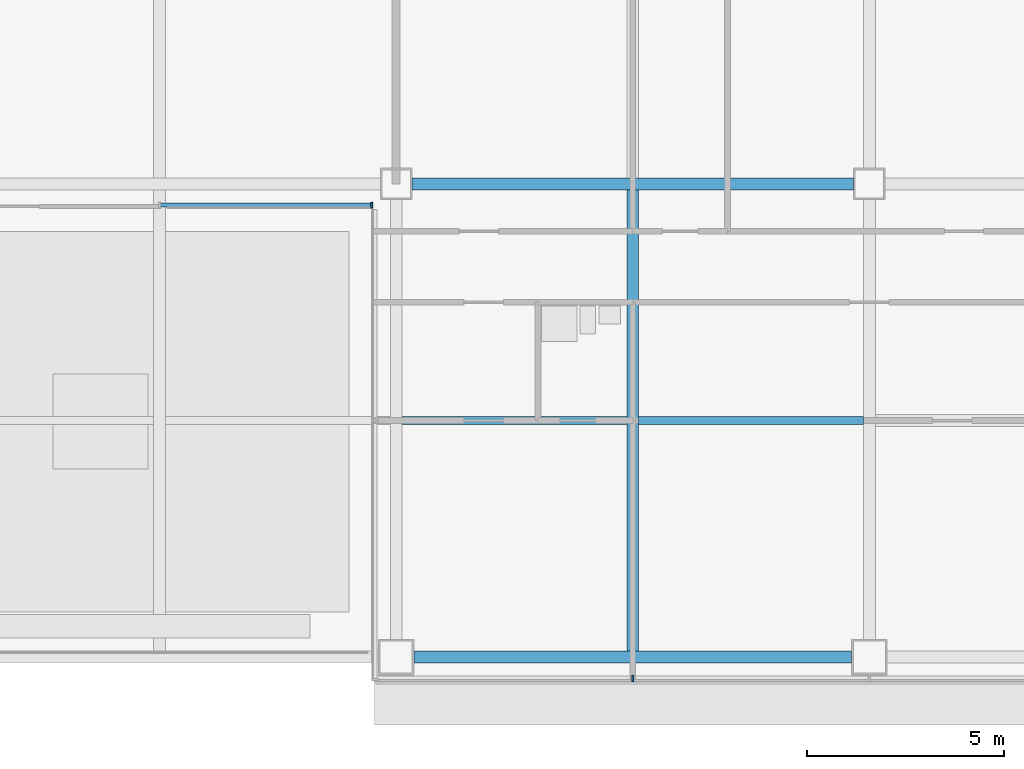
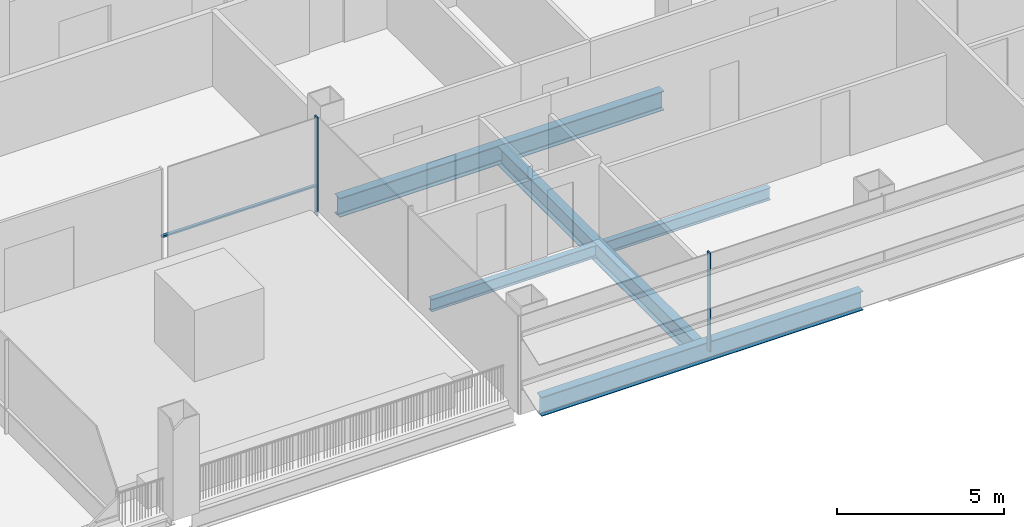
# One storey, part 8 of 27: 5 beams, 3 members, 2 elements without a shape of their own.
"""IFC4 building model written with IfcOpenShell, lengths in metres."""

from ifc_helpers import new_model, si_unit, direction, frame, origin, origin_2d, place, context, subcontext, project, spatial, rectangle, i_section, extrude, material, material_profile, profile_set, type_object, element, aggregate, save


model = new_model("IFC4")

# Units and contexts
model_context = context("Model", 3, precision=1e-05, world=origin(), true_north=direction((0.0, 1.0)))
body_context = subcontext(model_context, "Body", "Model", "MODEL_VIEW")
ifc_project = project(units=[si_unit("LENGTHUNIT", "METRE"), si_unit("AREAUNIT", "SQUARE_METRE"), si_unit("VOLUMEUNIT", "CUBIC_METRE"), si_unit("PLANEANGLEUNIT", "RADIAN"), si_unit("MASSUNIT", "GRAM", prefix="KILO")], contexts=[model_context])

# Site, building, storey
site_placement = place(None, origin())
site = spatial("IfcSite", under=ifc_project, at=site_placement, CompositionType="ELEMENT")
building_placement = place(site_placement, origin())
building = spatial("IfcBuilding", under=site, at=building_placement, Name="Sorahane Residences", CompositionType="ELEMENT")
storey_placement = place(building_placement, frame((0.0, 0.0, 82.199951171875)))
storey = spatial("IfcBuildingStorey", under=building, at=storey_placement, Name="L17", CompositionType="ELEMENT", Elevation=82.199951171875)

# Curtain wall, member
ifc_material_1 = material(Name="Dark low-e glass and black anodised aluminium", Category="aluminium")
curtain_wall_type = type_object("IfcCurtainWallType", Name="Curtain wall CW-1 Typical unitised wall", PredefinedType="NOTDEFINED", material=ifc_material_1)
curtain_wall_1_placement = place(storey_placement, origin())
curtain_wall_1 = element("IfcCurtainWall", 1, at=curtain_wall_1_placement, inside=storey, type_object=curtain_wall_type, Name="CW-1 curtain wall L17 S2", PredefinedType="NOTDEFINED")
ifc_material_2 = material(Name="Black anodised aluminium", Category="aluminium")
ifc_material_profile_1 = material_profile(ifc_material_2, rectangle(XDim=0.159912109375, YDim=0.050048828125, at=origin_2d()), Name="Curtain wall mullion CW-1 black anodised aluminium 50x160")
ifc_profile_set_1 = profile_set([ifc_material_profile_1], Name="Black anodised aluminium")
member_type_1 = type_object("IfcMemberType", Name="Curtain wall mullion CW-1 black anodised aluminium 50x160", PredefinedType="MULLION", material=ifc_profile_set_1)
member_1_placement = place(storey_placement, frame((35.375, 11.4599609375, -0.179931640625), z_axis=(0.0, 0.0, 1.0), x_axis=(0.0, -1.0, 0.0)))
member_1 = element("IfcMember", 2, at=member_1_placement, type_object=member_type_1, Name="CW-1 mullion L17 S2.4", PredefinedType="MULLION", context=body_context, shape_type="SweptSolid", body=[
    extrude(rectangle(XDim=0.159912109375, YDim=0.050048828125, at=origin_2d()), origin(), (0.0, 0.0, 1.0), 3.60009765625),
])

curtain_wall_2_placement = place(storey_placement, origin())
curtain_wall_2 = element("IfcCurtainWall", 3, at=curtain_wall_2_placement, inside=storey, type_object=curtain_wall_type, Name="CW-1 curtain wall L17 S3", PredefinedType="NOTDEFINED")
member_2_placement = place(storey_placement, frame((42.0, -0.5400390625, -0.179931640625), z_axis=(0.0, 0.0, 1.0), x_axis=(0.0, -1.0, 0.0)))
member_2 = element("IfcMember", 4, at=member_2_placement, type_object=member_type_1, Name="CW-1 mullion L17 S3.2", PredefinedType="MULLION", context=body_context, shape_type="SweptSolid", body=[
    extrude(rectangle(XDim=0.159912109375, YDim=0.050048828125, at=origin_2d()), origin(), (0.0, 0.0, 1.0), 3.60009765625),
])
aggregate(curtain_wall_2, [member_2])

# Member
ifc_material_3 = material(Name="Black anodised aluminium", Category="aluminium")
ifc_material_profile_2 = material_profile(ifc_material_3, rectangle(XDim=0.10009765625, YDim=0.06005859375, at=origin_2d()), Name="Curtain wall transom CW-1 black anodised aluminium 60x100")
ifc_profile_set_2 = profile_set([ifc_material_profile_2], Name="Black anodised aluminium")
member_type_2 = type_object("IfcMemberType", Name="Curtain wall transom CW-1 black anodised aluminium 60x100", PredefinedType="USERDEFINED", material=ifc_profile_set_2)
member_3_placement = place(storey_placement, frame((30.02490234375, 11.469970703125, 0.900146484375), z_axis=(1.0, 0.0, 0.0), x_axis=(0.0, 1.0, 0.0)))
member_3 = element("IfcMember", 5, at=member_3_placement, type_object=member_type_2, Name="CW-1 transom L17 S2.2", ObjectType="TRANSOM", PredefinedType="USERDEFINED", context=body_context, shape_type="SweptSolid", body=[
    extrude(rectangle(XDim=0.10009765625, YDim=0.06005859375, at=origin_2d()), origin(), (0.0, 0.0, 1.0), 5.3251953125),
])

aggregate(curtain_wall_1, [member_1, member_3])

# Beams
ifc_material_4 = material(Name="Steel Q355B", Category="steel")
ifc_material_profile_3 = material_profile(ifc_material_4, i_section(OverallWidth=0.199951171875, OverallDepth=0.449951171875, WebThickness=0.009033203125, FlangeThickness=0.013916015625, FilletRadius=0.02001953125, at=origin_2d()), Name="HN 450x200x9x14")
ifc_profile_set_3 = profile_set([ifc_material_profile_3], Name="Steel Q355B")
beam_type_1 = type_object("IfcBeamType", Name="Steel floor beam HN 450x200x9x14 Q355B", PredefinedType="BEAM", material=ifc_profile_set_3)
for number, where, z_axis, x_axis, name in (
    (6, (36.14990234375, 6.0, -0.405029296875), (1.0, 0.0, 0.0), (0.0, 1.0, 0.0), "Beam L17 065"),
    (7, (42.14990234375, 6.0, -0.405029296875), (1.0, 0.0, 0.0), (0.0, 1.0, 0.0), "Beam L17 066"),
):
    element("IfcBeam", number, at=place(storey_placement, frame(where, z_axis=z_axis, x_axis=x_axis)), inside=storey, type_object=beam_type_1, Name=name, PredefinedType="BEAM", context=body_context, shape_type="SweptSolid", body=[
        extrude(i_section(OverallWidth=0.199951171875, OverallDepth=0.449951171875, WebThickness=0.009033203125, FlangeThickness=0.013916015625, FilletRadius=0.02001953125, at=origin_2d()), origin(), (0.0, 0.0, 1.0), 5.7001953125),
    ])
ifc_material_5 = material(Name="Steel Q355B", Category="steel")
ifc_material_profile_4 = material_profile(ifc_material_5, i_section(OverallWidth=0.300048828125, OverallDepth=0.699951171875, WebThickness=0.012939453125, FlangeThickness=0.02392578125, FilletRadius=0.028076171875, at=origin_2d()), Name="HN 700x300x13x24")
ifc_profile_set_4 = profile_set([ifc_material_profile_4], Name="Steel Q355B")
beam_type_2 = type_object("IfcBeamType", Name="Steel floor beam HN 700x300x13x24 Q355B", PredefinedType="BEAM", material=ifc_profile_set_4)
beam_1_placement = place(storey_placement, frame((36.449951171875, 0.0, -0.530029296875), z_axis=(1.0, 0.0, 0.0), x_axis=(0.0, 1.0, 0.0)))
element("IfcBeam", 8, at=beam_1_placement, inside=storey, type_object=beam_type_2, Name="Beam L17 003", PredefinedType="BEAM", context=body_context, shape_type="SweptSolid", body=[
    extrude(i_section(OverallWidth=0.300048828125, OverallDepth=0.699951171875, WebThickness=0.012939453125, FlangeThickness=0.02392578125, FilletRadius=0.028076171875, at=origin_2d()), origin(), (0.0, 0.0, 1.0), 11.10009765625),
])
beam_2_placement = place(storey_placement, frame((36.39990234375, 12.0, -0.530029296875), z_axis=(1.0, 0.0, 0.0), x_axis=(0.0, 1.0, 0.0)))
element("IfcBeam", 9, at=beam_2_placement, inside=storey, type_object=beam_type_2, Name="Beam L17 008", PredefinedType="BEAM", context=body_context, shape_type="SweptSolid", body=[
    extrude(i_section(OverallWidth=0.300048828125, OverallDepth=0.699951171875, WebThickness=0.012939453125, FlangeThickness=0.02392578125, FilletRadius=0.028076171875, at=origin_2d()), origin(), (0.0, 0.0, 1.0), 11.2001953125),
])
beam_3_placement = place(storey_placement, frame((42.0, 0.14990234375, -0.530029296875), z_axis=(0.0, 1.0, 0.0), x_axis=(-1.0, 0.0, 0.0)))
element("IfcBeam", 10, at=beam_3_placement, inside=storey, type_object=beam_type_2, Name="Beam L17 044", PredefinedType="BEAM", context=body_context, shape_type="SweptSolid", body=[
    extrude(i_section(OverallWidth=0.300048828125, OverallDepth=0.699951171875, WebThickness=0.012939453125, FlangeThickness=0.02392578125, FilletRadius=0.028076171875, at=origin_2d()), origin(), (0.0, 0.0, 1.0), 11.7001953125),
])

save(model, "model.ifc")
